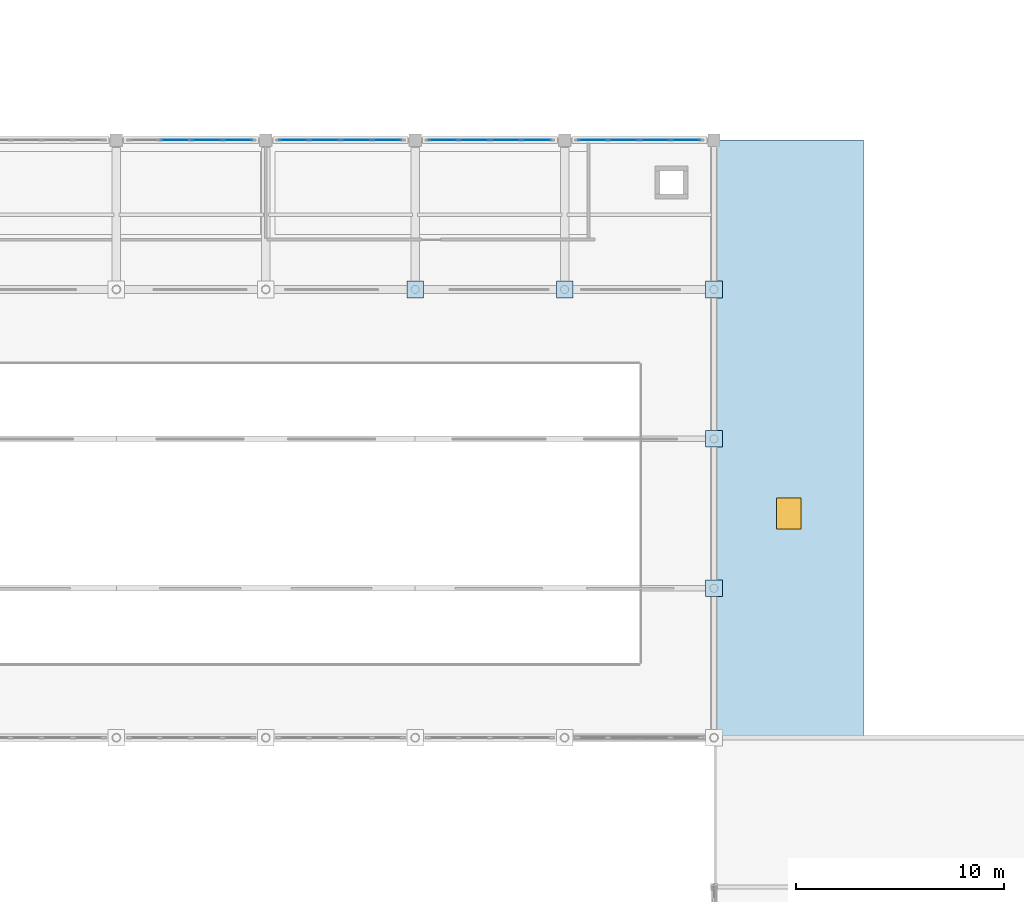
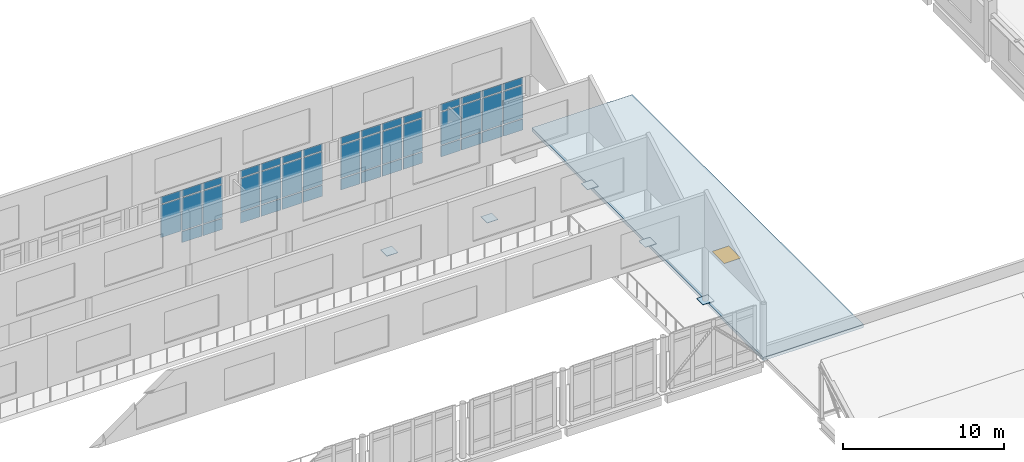
# One storey, part 33 of 62: 49 plates, 1 slab, 1 window, 1 opening, 4 elements without a shape of their own.
"""IFC4 building model written with IfcOpenShell, lengths in metres."""

from ifc_helpers import new_model, si_unit, direction, frame, origin, origin_2d, place, context, subcontext, project, spatial, polyline, rectangle, outline, extrude, material, layer, layer_set, type_object, element, fill, aggregate, save


model = new_model("IFC4")

# Units and contexts
model_context = context("Model", 3, precision=1e-05, world=origin(), true_north=direction((0.0, 1.0)))
body_context = subcontext(model_context, "Body", "Model", "MODEL_VIEW")
ifc_project = project(units=[si_unit("LENGTHUNIT", "METRE"), si_unit("AREAUNIT", "SQUARE_METRE"), si_unit("VOLUMEUNIT", "CUBIC_METRE"), si_unit("PLANEANGLEUNIT", "RADIAN"), si_unit("MASSUNIT", "GRAM", prefix="KILO")], contexts=[model_context])

# Site, building, storey
site_placement = place(None, origin())
site = spatial("IfcSite", under=ifc_project, at=site_placement, CompositionType="ELEMENT")
building_placement = place(site_placement, origin())
building = spatial("IfcBuilding", under=site, at=building_placement, Name="Valkovuoma Quantum and Materials Research Institute", CompositionType="ELEMENT")
storey_placement = place(building_placement, frame((0.0, 0.0, 13.1201171875)))
storey = spatial("IfcBuildingStorey", under=building, at=storey_placement, Name="L03", CompositionType="ELEMENT", Elevation=13.1201171875)

# Curtain wall, plates
ifc_material_1 = material(Name="Thermally broken aluminium and triple low-E glazing", Category="aluminium")
ifc_layer_1 = layer(ifc_material_1, 0.219970703125)
ifc_layer_set_1 = layer_set([ifc_layer_1], Name="Thermally broken aluminium and triple low-E glazing")
curtain_wall_type = type_object("IfcCurtainWallType", Name="CW-CW-02", PredefinedType="NOTDEFINED", material=ifc_layer_set_1)
curtain_wall_1_placement = place(storey_placement, origin())
curtain_wall_1 = element("IfcCurtainWall", 1, at=curtain_wall_1_placement, inside=storey, type_object=curtain_wall_type, Name="L03 curtain wall 215", PredefinedType="NOTDEFINED")
ifc_material_2 = material(Name="Triple low-E argon insulating glass", Category="glass")
ifc_layer_2 = layer(ifc_material_2, 0.0419921875)
ifc_layer_set_2 = layer_set([ifc_layer_2], Name="Triple low-E argon insulating glass")
plate_type_1 = type_object("IfcPlateType", Name="CWPanel-CWP-02", PredefinedType="CURTAIN_PANEL", material=ifc_layer_set_2)
plate_1_placement = place(storey_placement, frame((74.844970703125, 64.800048828125, 0.9873046875), z_axis=(0.0, 0.0, 1.0), x_axis=(1.0, 0.0, 0.0)))
plate_1 = element("IfcPlate", 2, at=plate_1_placement, type_object=plate_type_1, Name="CW-02 panel 2.2", PredefinedType="CURTAIN_PANEL", context=body_context, shape_type="SweptSolid", body=[
    extrude(rectangle(XDim=1.429931640625, YDim=0.0419921875, at=origin_2d()), origin(), (0.0, 0.0, 1.0), 2.485107421875),
])
plate_2_placement = place(storey_placement, frame((74.844970703125, 64.800048828125, 3.54736328125), z_axis=(0.0, 0.0, 1.0), x_axis=(1.0, 0.0, 0.0)))
plate_2 = element("IfcPlate", 3, at=plate_2_placement, type_object=plate_type_1, Name="CW-02 panel 2.3", PredefinedType="CURTAIN_PANEL", context=body_context, shape_type="SweptSolid", body=[
    extrude(rectangle(XDim=1.429931640625, YDim=0.0419921875, at=origin_2d()), origin(), (0.0, 0.0, 1.0), 0.53759765625),
])
plate_3_placement = place(storey_placement, frame((76.35498046875, 64.800048828125, 0.074951171875), z_axis=(0.0, 0.0, 1.0), x_axis=(1.0, 0.0, 0.0)))
plate_3 = element("IfcPlate", 4, at=plate_3_placement, type_object=plate_type_1, Name="CW-02 panel 3.1", PredefinedType="CURTAIN_PANEL", context=body_context, shape_type="SweptSolid", body=[
    extrude(rectangle(XDim=1.429931640625, YDim=0.0419921875, at=origin_2d()), origin(), (0.0, 0.0, 1.0), 0.83740234375),
])
plate_4_placement = place(storey_placement, frame((76.35498046875, 64.800048828125, 0.9873046875), z_axis=(0.0, 0.0, 1.0), x_axis=(1.0, 0.0, 0.0)))
plate_4 = element("IfcPlate", 5, at=plate_4_placement, type_object=plate_type_1, Name="CW-02 panel 3.2", PredefinedType="CURTAIN_PANEL", context=body_context, shape_type="SweptSolid", body=[
    extrude(rectangle(XDim=1.429931640625, YDim=0.0419921875, at=origin_2d()), origin(), (0.0, 0.0, 1.0), 2.485107421875),
])
plate_5_placement = place(storey_placement, frame((76.35498046875, 64.800048828125, 3.54736328125), z_axis=(0.0, 0.0, 1.0), x_axis=(1.0, 0.0, 0.0)))
plate_5 = element("IfcPlate", 6, at=plate_5_placement, type_object=plate_type_1, Name="CW-02 panel 3.3", PredefinedType="CURTAIN_PANEL", context=body_context, shape_type="SweptSolid", body=[
    extrude(rectangle(XDim=1.429931640625, YDim=0.0419921875, at=origin_2d()), origin(), (0.0, 0.0, 1.0), 0.53759765625),
])
plate_6_placement = place(storey_placement, frame((77.844970703125, 64.800048828125, 0.074951171875), z_axis=(0.0, 0.0, 1.0), x_axis=(1.0, 0.0, 0.0)))
plate_6 = element("IfcPlate", 7, at=plate_6_placement, type_object=plate_type_1, Name="CW-02 panel 4.1", PredefinedType="CURTAIN_PANEL", context=body_context, shape_type="SweptSolid", body=[
    extrude(rectangle(XDim=1.389892578125, YDim=0.0419921875, at=origin_2d()), origin(), (0.0, 0.0, 1.0), 0.83740234375),
])
plate_7_placement = place(storey_placement, frame((77.844970703125, 64.800048828125, 0.9873046875), z_axis=(0.0, 0.0, 1.0), x_axis=(1.0, 0.0, 0.0)))
plate_7 = element("IfcPlate", 8, at=plate_7_placement, type_object=plate_type_1, Name="CW-02 panel 4.2", PredefinedType="CURTAIN_PANEL", context=body_context, shape_type="SweptSolid", body=[
    extrude(rectangle(XDim=1.389892578125, YDim=0.0419921875, at=origin_2d()), origin(), (0.0, 0.0, 1.0), 2.485107421875),
])
plate_8_placement = place(storey_placement, frame((77.844970703125, 64.800048828125, 3.54736328125), z_axis=(0.0, 0.0, 1.0), x_axis=(1.0, 0.0, 0.0)))
plate_8 = element("IfcPlate", 9, at=plate_8_placement, type_object=plate_type_1, Name="CW-02 panel 4.3", PredefinedType="CURTAIN_PANEL", context=body_context, shape_type="SweptSolid", body=[
    extrude(rectangle(XDim=1.389892578125, YDim=0.0419921875, at=origin_2d()), origin(), (0.0, 0.0, 1.0), 0.53759765625),
])
aggregate(curtain_wall_1, [plate_1, plate_2, plate_3, plate_4, plate_5, plate_6, plate_7, plate_8])

curtain_wall_2_placement = place(storey_placement, origin())
curtain_wall_2 = element("IfcCurtainWall", 10, at=curtain_wall_2_placement, inside=storey, type_object=curtain_wall_type, Name="L03 curtain wall 216", PredefinedType="NOTDEFINED")
plate_9_placement = place(storey_placement, frame((80.554931640625, 64.800048828125, 0.074951171875), z_axis=(0.0, 0.0, 1.0), x_axis=(1.0, 0.0, 0.0)))
plate_9 = element("IfcPlate", 11, at=plate_9_placement, type_object=plate_type_1, Name="CW-02 panel 1.1", PredefinedType="CURTAIN_PANEL", context=body_context, shape_type="SweptSolid", body=[
    extrude(rectangle(XDim=1.389892578125, YDim=0.0419921875, at=origin_2d()), origin(), (0.0, 0.0, 1.0), 0.83740234375),
])
plate_10_placement = place(storey_placement, frame((80.554931640625, 64.800048828125, 0.9873046875), z_axis=(0.0, 0.0, 1.0), x_axis=(1.0, 0.0, 0.0)))
plate_10 = element("IfcPlate", 12, at=plate_10_placement, type_object=plate_type_1, Name="CW-02 panel 1.2", PredefinedType="CURTAIN_PANEL", context=body_context, shape_type="SweptSolid", body=[
    extrude(rectangle(XDim=1.389892578125, YDim=0.0419921875, at=origin_2d()), origin(), (0.0, 0.0, 1.0), 2.485107421875),
])
plate_11_placement = place(storey_placement, frame((80.554931640625, 64.800048828125, 3.54736328125), z_axis=(0.0, 0.0, 1.0), x_axis=(1.0, 0.0, 0.0)))
plate_11 = element("IfcPlate", 13, at=plate_11_placement, type_object=plate_type_1, Name="CW-02 panel 1.3", PredefinedType="CURTAIN_PANEL", context=body_context, shape_type="SweptSolid", body=[
    extrude(rectangle(XDim=1.389892578125, YDim=0.0419921875, at=origin_2d()), origin(), (0.0, 0.0, 1.0), 0.53759765625),
])
plate_12_placement = place(storey_placement, frame((82.044921875, 64.800048828125, 0.074951171875), z_axis=(0.0, 0.0, 1.0), x_axis=(1.0, 0.0, 0.0)))
plate_12 = element("IfcPlate", 14, at=plate_12_placement, type_object=plate_type_1, Name="CW-02 panel 2.1", PredefinedType="CURTAIN_PANEL", context=body_context, shape_type="SweptSolid", body=[
    extrude(rectangle(XDim=1.429931640625, YDim=0.0419921875, at=origin_2d()), origin(), (0.0, 0.0, 1.0), 0.83740234375),
])
plate_13_placement = place(storey_placement, frame((82.044921875, 64.800048828125, 0.9873046875), z_axis=(0.0, 0.0, 1.0), x_axis=(1.0, 0.0, 0.0)))
plate_13 = element("IfcPlate", 15, at=plate_13_placement, type_object=plate_type_1, Name="CW-02 panel 2.2", PredefinedType="CURTAIN_PANEL", context=body_context, shape_type="SweptSolid", body=[
    extrude(rectangle(XDim=1.429931640625, YDim=0.0419921875, at=origin_2d()), origin(), (0.0, 0.0, 1.0), 2.485107421875),
])
plate_14_placement = place(storey_placement, frame((82.044921875, 64.800048828125, 3.54736328125), z_axis=(0.0, 0.0, 1.0), x_axis=(1.0, 0.0, 0.0)))
plate_14 = element("IfcPlate", 16, at=plate_14_placement, type_object=plate_type_1, Name="CW-02 panel 2.3", PredefinedType="CURTAIN_PANEL", context=body_context, shape_type="SweptSolid", body=[
    extrude(rectangle(XDim=1.429931640625, YDim=0.0419921875, at=origin_2d()), origin(), (0.0, 0.0, 1.0), 0.53759765625),
])
plate_15_placement = place(storey_placement, frame((83.554931640625, 64.800048828125, 0.074951171875), z_axis=(0.0, 0.0, 1.0), x_axis=(1.0, 0.0, 0.0)))
plate_15 = element("IfcPlate", 17, at=plate_15_placement, type_object=plate_type_1, Name="CW-02 panel 3.1", PredefinedType="CURTAIN_PANEL", context=body_context, shape_type="SweptSolid", body=[
    extrude(rectangle(XDim=1.429931640625, YDim=0.0419921875, at=origin_2d()), origin(), (0.0, 0.0, 1.0), 0.83740234375),
])
plate_16_placement = place(storey_placement, frame((83.554931640625, 64.800048828125, 0.9873046875), z_axis=(0.0, 0.0, 1.0), x_axis=(1.0, 0.0, 0.0)))
plate_16 = element("IfcPlate", 18, at=plate_16_placement, type_object=plate_type_1, Name="CW-02 panel 3.2", PredefinedType="CURTAIN_PANEL", context=body_context, shape_type="SweptSolid", body=[
    extrude(rectangle(XDim=1.429931640625, YDim=0.0419921875, at=origin_2d()), origin(), (0.0, 0.0, 1.0), 2.485107421875),
])
plate_17_placement = place(storey_placement, frame((83.554931640625, 64.800048828125, 3.54736328125), z_axis=(0.0, 0.0, 1.0), x_axis=(1.0, 0.0, 0.0)))
plate_17 = element("IfcPlate", 19, at=plate_17_placement, type_object=plate_type_1, Name="CW-02 panel 3.3", PredefinedType="CURTAIN_PANEL", context=body_context, shape_type="SweptSolid", body=[
    extrude(rectangle(XDim=1.429931640625, YDim=0.0419921875, at=origin_2d()), origin(), (0.0, 0.0, 1.0), 0.53759765625),
])
plate_18_placement = place(storey_placement, frame((85.044921875, 64.800048828125, 0.074951171875), z_axis=(0.0, 0.0, 1.0), x_axis=(1.0, 0.0, 0.0)))
plate_18 = element("IfcPlate", 20, at=plate_18_placement, type_object=plate_type_1, Name="CW-02 panel 4.1", PredefinedType="CURTAIN_PANEL", context=body_context, shape_type="SweptSolid", body=[
    extrude(rectangle(XDim=1.389892578125, YDim=0.0419921875, at=origin_2d()), origin(), (0.0, 0.0, 1.0), 0.83740234375),
])
plate_19_placement = place(storey_placement, frame((85.044921875, 64.800048828125, 0.9873046875), z_axis=(0.0, 0.0, 1.0), x_axis=(1.0, 0.0, 0.0)))
plate_19 = element("IfcPlate", 21, at=plate_19_placement, type_object=plate_type_1, Name="CW-02 panel 4.2", PredefinedType="CURTAIN_PANEL", context=body_context, shape_type="SweptSolid", body=[
    extrude(rectangle(XDim=1.389892578125, YDim=0.0419921875, at=origin_2d()), origin(), (0.0, 0.0, 1.0), 2.485107421875),
])
plate_20_placement = place(storey_placement, frame((85.044921875, 64.800048828125, 3.54736328125), z_axis=(0.0, 0.0, 1.0), x_axis=(1.0, 0.0, 0.0)))
plate_20 = element("IfcPlate", 22, at=plate_20_placement, type_object=plate_type_1, Name="CW-02 panel 4.3", PredefinedType="CURTAIN_PANEL", context=body_context, shape_type="SweptSolid", body=[
    extrude(rectangle(XDim=1.389892578125, YDim=0.0419921875, at=origin_2d()), origin(), (0.0, 0.0, 1.0), 0.53759765625),
])
aggregate(curtain_wall_2, [plate_9, plate_10, plate_11, plate_12, plate_13, plate_14, plate_15, plate_16, plate_17, plate_18, plate_19, plate_20])

curtain_wall_3_placement = place(storey_placement, origin())
curtain_wall_3 = element("IfcCurtainWall", 23, at=curtain_wall_3_placement, inside=storey, type_object=curtain_wall_type, Name="L03 curtain wall 217", PredefinedType="NOTDEFINED")
plate_21_placement = place(storey_placement, frame((87.7548828125, 64.800048828125, 0.074951171875), z_axis=(0.0, 0.0, 1.0), x_axis=(1.0, 0.0, 0.0)))
plate_21 = element("IfcPlate", 24, at=plate_21_placement, type_object=plate_type_1, Name="CW-02 panel 1.1", PredefinedType="CURTAIN_PANEL", context=body_context, shape_type="SweptSolid", body=[
    extrude(rectangle(XDim=1.389892578125, YDim=0.0419921875, at=origin_2d()), origin(), (0.0, 0.0, 1.0), 0.83740234375),
])
plate_22_placement = place(storey_placement, frame((87.7548828125, 64.800048828125, 0.9873046875), z_axis=(0.0, 0.0, 1.0), x_axis=(1.0, 0.0, 0.0)))
plate_22 = element("IfcPlate", 25, at=plate_22_placement, type_object=plate_type_1, Name="CW-02 panel 1.2", PredefinedType="CURTAIN_PANEL", context=body_context, shape_type="SweptSolid", body=[
    extrude(rectangle(XDim=1.389892578125, YDim=0.0419921875, at=origin_2d()), origin(), (0.0, 0.0, 1.0), 2.485107421875),
])
plate_23_placement = place(storey_placement, frame((87.7548828125, 64.800048828125, 3.54736328125), z_axis=(0.0, 0.0, 1.0), x_axis=(1.0, 0.0, 0.0)))
plate_23 = element("IfcPlate", 26, at=plate_23_placement, type_object=plate_type_1, Name="CW-02 panel 1.3", PredefinedType="CURTAIN_PANEL", context=body_context, shape_type="SweptSolid", body=[
    extrude(rectangle(XDim=1.389892578125, YDim=0.0419921875, at=origin_2d()), origin(), (0.0, 0.0, 1.0), 0.53759765625),
])
plate_24_placement = place(storey_placement, frame((89.2451171875, 64.800048828125, 0.074951171875), z_axis=(0.0, 0.0, 1.0), x_axis=(1.0, 0.0, 0.0)))
plate_24 = element("IfcPlate", 27, at=plate_24_placement, type_object=plate_type_1, Name="CW-02 panel 2.1", PredefinedType="CURTAIN_PANEL", context=body_context, shape_type="SweptSolid", body=[
    extrude(rectangle(XDim=1.429931640625, YDim=0.0419921875, at=origin_2d()), origin(), (0.0, 0.0, 1.0), 0.83740234375),
])
plate_25_placement = place(storey_placement, frame((89.2451171875, 64.800048828125, 0.9873046875), z_axis=(0.0, 0.0, 1.0), x_axis=(1.0, 0.0, 0.0)))
plate_25 = element("IfcPlate", 28, at=plate_25_placement, type_object=plate_type_1, Name="CW-02 panel 2.2", PredefinedType="CURTAIN_PANEL", context=body_context, shape_type="SweptSolid", body=[
    extrude(rectangle(XDim=1.429931640625, YDim=0.0419921875, at=origin_2d()), origin(), (0.0, 0.0, 1.0), 2.485107421875),
])
plate_26_placement = place(storey_placement, frame((89.2451171875, 64.800048828125, 3.54736328125), z_axis=(0.0, 0.0, 1.0), x_axis=(1.0, 0.0, 0.0)))
plate_26 = element("IfcPlate", 29, at=plate_26_placement, type_object=plate_type_1, Name="CW-02 panel 2.3", PredefinedType="CURTAIN_PANEL", context=body_context, shape_type="SweptSolid", body=[
    extrude(rectangle(XDim=1.429931640625, YDim=0.0419921875, at=origin_2d()), origin(), (0.0, 0.0, 1.0), 0.53759765625),
])
plate_27_placement = place(storey_placement, frame((90.7548828125, 64.800048828125, 0.074951171875), z_axis=(0.0, 0.0, 1.0), x_axis=(1.0, 0.0, 0.0)))
plate_27 = element("IfcPlate", 30, at=plate_27_placement, type_object=plate_type_1, Name="CW-02 panel 3.1", PredefinedType="CURTAIN_PANEL", context=body_context, shape_type="SweptSolid", body=[
    extrude(rectangle(XDim=1.429931640625, YDim=0.0419921875, at=origin_2d()), origin(), (0.0, 0.0, 1.0), 0.83740234375),
])
plate_28_placement = place(storey_placement, frame((90.7548828125, 64.800048828125, 0.9873046875), z_axis=(0.0, 0.0, 1.0), x_axis=(1.0, 0.0, 0.0)))
plate_28 = element("IfcPlate", 31, at=plate_28_placement, type_object=plate_type_1, Name="CW-02 panel 3.2", PredefinedType="CURTAIN_PANEL", context=body_context, shape_type="SweptSolid", body=[
    extrude(rectangle(XDim=1.429931640625, YDim=0.0419921875, at=origin_2d()), origin(), (0.0, 0.0, 1.0), 2.485107421875),
])
plate_29_placement = place(storey_placement, frame((90.7548828125, 64.800048828125, 3.54736328125), z_axis=(0.0, 0.0, 1.0), x_axis=(1.0, 0.0, 0.0)))
plate_29 = element("IfcPlate", 32, at=plate_29_placement, type_object=plate_type_1, Name="CW-02 panel 3.3", PredefinedType="CURTAIN_PANEL", context=body_context, shape_type="SweptSolid", body=[
    extrude(rectangle(XDim=1.429931640625, YDim=0.0419921875, at=origin_2d()), origin(), (0.0, 0.0, 1.0), 0.53759765625),
])
plate_30_placement = place(storey_placement, frame((92.2451171875, 64.800048828125, 0.074951171875), z_axis=(0.0, 0.0, 1.0), x_axis=(1.0, 0.0, 0.0)))
plate_30 = element("IfcPlate", 33, at=plate_30_placement, type_object=plate_type_1, Name="CW-02 panel 4.1", PredefinedType="CURTAIN_PANEL", context=body_context, shape_type="SweptSolid", body=[
    extrude(rectangle(XDim=1.389892578125, YDim=0.0419921875, at=origin_2d()), origin(), (0.0, 0.0, 1.0), 0.83740234375),
])
plate_31_placement = place(storey_placement, frame((92.2451171875, 64.800048828125, 0.9873046875), z_axis=(0.0, 0.0, 1.0), x_axis=(1.0, 0.0, 0.0)))
plate_31 = element("IfcPlate", 34, at=plate_31_placement, type_object=plate_type_1, Name="CW-02 panel 4.2", PredefinedType="CURTAIN_PANEL", context=body_context, shape_type="SweptSolid", body=[
    extrude(rectangle(XDim=1.389892578125, YDim=0.0419921875, at=origin_2d()), origin(), (0.0, 0.0, 1.0), 2.485107421875),
])
plate_32_placement = place(storey_placement, frame((92.2451171875, 64.800048828125, 3.54736328125), z_axis=(0.0, 0.0, 1.0), x_axis=(1.0, 0.0, 0.0)))
plate_32 = element("IfcPlate", 35, at=plate_32_placement, type_object=plate_type_1, Name="CW-02 panel 4.3", PredefinedType="CURTAIN_PANEL", context=body_context, shape_type="SweptSolid", body=[
    extrude(rectangle(XDim=1.389892578125, YDim=0.0419921875, at=origin_2d()), origin(), (0.0, 0.0, 1.0), 0.53759765625),
])
aggregate(curtain_wall_3, [plate_21, plate_22, plate_23, plate_24, plate_25, plate_26, plate_27, plate_28, plate_29, plate_30, plate_31, plate_32])

curtain_wall_4_placement = place(storey_placement, origin())
curtain_wall_4 = element("IfcCurtainWall", 36, at=curtain_wall_4_placement, inside=storey, type_object=curtain_wall_type, Name="L03 curtain wall 218", PredefinedType="NOTDEFINED")
plate_33_placement = place(storey_placement, frame((94.955078125, 64.800048828125, 0.074951171875), z_axis=(0.0, 0.0, 1.0), x_axis=(1.0, 0.0, 0.0)))
plate_33 = element("IfcPlate", 37, at=plate_33_placement, type_object=plate_type_1, Name="CW-02 panel 1.1", PredefinedType="CURTAIN_PANEL", context=body_context, shape_type="SweptSolid", body=[
    extrude(rectangle(XDim=1.389892578125, YDim=0.0419921875, at=origin_2d()), origin(), (0.0, 0.0, 1.0), 0.83740234375),
])
plate_34_placement = place(storey_placement, frame((94.955078125, 64.800048828125, 0.9873046875), z_axis=(0.0, 0.0, 1.0), x_axis=(1.0, 0.0, 0.0)))
plate_34 = element("IfcPlate", 38, at=plate_34_placement, type_object=plate_type_1, Name="CW-02 panel 1.2", PredefinedType="CURTAIN_PANEL", context=body_context, shape_type="SweptSolid", body=[
    extrude(rectangle(XDim=1.389892578125, YDim=0.0419921875, at=origin_2d()), origin(), (0.0, 0.0, 1.0), 2.485107421875),
])
plate_35_placement = place(storey_placement, frame((94.955078125, 64.800048828125, 3.54736328125), z_axis=(0.0, 0.0, 1.0), x_axis=(1.0, 0.0, 0.0)))
plate_35 = element("IfcPlate", 39, at=plate_35_placement, type_object=plate_type_1, Name="CW-02 panel 1.3", PredefinedType="CURTAIN_PANEL", context=body_context, shape_type="SweptSolid", body=[
    extrude(rectangle(XDim=1.389892578125, YDim=0.0419921875, at=origin_2d()), origin(), (0.0, 0.0, 1.0), 0.53759765625),
])
plate_36_placement = place(storey_placement, frame((96.445068359375, 64.800048828125, 0.074951171875), z_axis=(0.0, 0.0, 1.0), x_axis=(1.0, 0.0, 0.0)))
plate_36 = element("IfcPlate", 40, at=plate_36_placement, type_object=plate_type_1, Name="CW-02 panel 2.1", PredefinedType="CURTAIN_PANEL", context=body_context, shape_type="SweptSolid", body=[
    extrude(rectangle(XDim=1.429931640625, YDim=0.0419921875, at=origin_2d()), origin(), (0.0, 0.0, 1.0), 0.83740234375),
])
plate_37_placement = place(storey_placement, frame((96.445068359375, 64.800048828125, 0.9873046875), z_axis=(0.0, 0.0, 1.0), x_axis=(1.0, 0.0, 0.0)))
plate_37 = element("IfcPlate", 41, at=plate_37_placement, type_object=plate_type_1, Name="CW-02 panel 2.2", PredefinedType="CURTAIN_PANEL", context=body_context, shape_type="SweptSolid", body=[
    extrude(rectangle(XDim=1.429931640625, YDim=0.0419921875, at=origin_2d()), origin(), (0.0, 0.0, 1.0), 2.485107421875),
])
plate_38_placement = place(storey_placement, frame((96.445068359375, 64.800048828125, 3.54736328125), z_axis=(0.0, 0.0, 1.0), x_axis=(1.0, 0.0, 0.0)))
plate_38 = element("IfcPlate", 42, at=plate_38_placement, type_object=plate_type_1, Name="CW-02 panel 2.3", PredefinedType="CURTAIN_PANEL", context=body_context, shape_type="SweptSolid", body=[
    extrude(rectangle(XDim=1.429931640625, YDim=0.0419921875, at=origin_2d()), origin(), (0.0, 0.0, 1.0), 0.53759765625),
])
plate_39_placement = place(storey_placement, frame((97.955078125, 64.800048828125, 0.074951171875), z_axis=(0.0, 0.0, 1.0), x_axis=(1.0, 0.0, 0.0)))
plate_39 = element("IfcPlate", 43, at=plate_39_placement, type_object=plate_type_1, Name="CW-02 panel 3.1", PredefinedType="CURTAIN_PANEL", context=body_context, shape_type="SweptSolid", body=[
    extrude(rectangle(XDim=1.429931640625, YDim=0.0419921875, at=origin_2d()), origin(), (0.0, 0.0, 1.0), 0.83740234375),
])
plate_40_placement = place(storey_placement, frame((97.955078125, 64.800048828125, 0.9873046875), z_axis=(0.0, 0.0, 1.0), x_axis=(1.0, 0.0, 0.0)))
plate_40 = element("IfcPlate", 44, at=plate_40_placement, type_object=plate_type_1, Name="CW-02 panel 3.2", PredefinedType="CURTAIN_PANEL", context=body_context, shape_type="SweptSolid", body=[
    extrude(rectangle(XDim=1.429931640625, YDim=0.0419921875, at=origin_2d()), origin(), (0.0, 0.0, 1.0), 2.485107421875),
])
plate_41_placement = place(storey_placement, frame((97.955078125, 64.800048828125, 3.54736328125), z_axis=(0.0, 0.0, 1.0), x_axis=(1.0, 0.0, 0.0)))
plate_41 = element("IfcPlate", 45, at=plate_41_placement, type_object=plate_type_1, Name="CW-02 panel 3.3", PredefinedType="CURTAIN_PANEL", context=body_context, shape_type="SweptSolid", body=[
    extrude(rectangle(XDim=1.429931640625, YDim=0.0419921875, at=origin_2d()), origin(), (0.0, 0.0, 1.0), 0.53759765625),
])
plate_42_placement = place(storey_placement, frame((99.445068359375, 64.800048828125, 0.074951171875), z_axis=(0.0, 0.0, 1.0), x_axis=(1.0, 0.0, 0.0)))
plate_42 = element("IfcPlate", 46, at=plate_42_placement, type_object=plate_type_1, Name="CW-02 panel 4.1", PredefinedType="CURTAIN_PANEL", context=body_context, shape_type="SweptSolid", body=[
    extrude(rectangle(XDim=1.389892578125, YDim=0.0419921875, at=origin_2d()), origin(), (0.0, 0.0, 1.0), 0.83740234375),
])
plate_43_placement = place(storey_placement, frame((99.445068359375, 64.800048828125, 0.9873046875), z_axis=(0.0, 0.0, 1.0), x_axis=(1.0, 0.0, 0.0)))
plate_43 = element("IfcPlate", 47, at=plate_43_placement, type_object=plate_type_1, Name="CW-02 panel 4.2", PredefinedType="CURTAIN_PANEL", context=body_context, shape_type="SweptSolid", body=[
    extrude(rectangle(XDim=1.389892578125, YDim=0.0419921875, at=origin_2d()), origin(), (0.0, 0.0, 1.0), 2.485107421875),
])
plate_44_placement = place(storey_placement, frame((99.445068359375, 64.800048828125, 3.54736328125), z_axis=(0.0, 0.0, 1.0), x_axis=(1.0, 0.0, 0.0)))
plate_44 = element("IfcPlate", 48, at=plate_44_placement, type_object=plate_type_1, Name="CW-02 panel 4.3", PredefinedType="CURTAIN_PANEL", context=body_context, shape_type="SweptSolid", body=[
    extrude(rectangle(XDim=1.389892578125, YDim=0.0419921875, at=origin_2d()), origin(), (0.0, 0.0, 1.0), 0.53759765625),
])
aggregate(curtain_wall_4, [plate_33, plate_34, plate_35, plate_36, plate_37, plate_38, plate_39, plate_40, plate_41, plate_42, plate_43, plate_44])

# Plates
ifc_material_3 = material(Name="Steel S355J2", Category="steel")
plate_type_2 = type_object("IfcPlateType", Name="Plate-PL-BAS2", PredefinedType="USERDEFINED", material=ifc_material_3)
for number, where, z_axis, x_axis, name in (
    (49, (86.39990234375, 57.60009765625, 0.0), (0.0, 0.0, 1.0), (1.0, 0.0, 0.0), "L03 base plate 13J"),
    (50, (93.60009765625, 57.60009765625, 0.0), (0.0, 0.0, 1.0), (1.0, 0.0, 0.0), "L03 base plate 14J"),
    (51, (100.800048828125, 43.199951171875, 0.0), (0.0, 0.0, 1.0), (1.0, 0.0, 0.0), "L03 base plate 15G"),
    (52, (100.800048828125, 50.39990234375, 0.0), (0.0, 0.0, 1.0), (1.0, 0.0, 0.0), "L03 base plate 15H"),
    (53, (100.800048828125, 57.60009765625, 0.0), (0.0, 0.0, 1.0), (1.0, 0.0, 0.0), "L03 base plate 15J"),
):
    element("IfcPlate", number, at=place(storey_placement, frame(where, z_axis=z_axis, x_axis=x_axis)), inside=storey, type_object=plate_type_2, Name=name, ObjectType="BASE_PLATE", PredefinedType="USERDEFINED", context=body_context, shape_type="SweptSolid", body=[
        extrude(rectangle(XDim=0.800048828125, YDim=0.800048828125, at=origin_2d()), origin(), (0.0, 0.0, 1.0), 0.030029296875),
    ])

# Slab, opening, window
ifc_material_4 = material(Name="Concrete C40/50", Category="concrete")
ifc_layer_3 = layer(ifc_material_4, 0.25)
ifc_layer_set_3 = layer_set([ifc_layer_3], Name="Concrete C40/50")
slab_type = type_object("IfcSlabType", Name="Slab-SL-RF250", PredefinedType="ROOF", material=ifc_layer_set_3)
slab_placement = place(storey_placement, frame((0.0, 0.0, -0.25)))
slab = element("IfcSlab", 54, at=slab_placement, inside=storey, type_object=slab_type, Name="L03 roof slab RF_VOL2_EAST_STEP", PredefinedType="ROOF", context=body_context, shape_type="SweptSolid", body=[
    extrude(outline(polyline([(100.800048828125, 36.0), (108.0, 36.0), (108.0, 64.800048828125), (100.800048828125, 64.800048828125), (100.800048828125, 36.0)]), holes=[polyline([(103.800048828125, 46.050048828125), (105.0, 46.050048828125), (105.0, 47.550048828125), (103.800048828125, 47.550048828125), (103.800048828125, 46.050048828125)])]), origin(), (0.0, 0.0, 1.0), 0.25),
])
opening_placement = place(slab_placement, frame((104.39990234375, 46.800048828125, -0.010009765625)))
opening = element("IfcOpeningElement", 55, at=opening_placement, cuts=slab, Name="Opening SKY-HT1", PredefinedType="OPENING", context=body_context, shape_type="SweptSolid", body=[
    extrude(rectangle(XDim=1.199951171875, YDim=1.5, at=origin_2d()), origin(), (0.0, 0.0, 1.0), 0.27001953125),
])
ifc_material_5 = material(Name="Triple low-E laminated safety glass skylight", Category="glass")
window_type = type_object("IfcWindowType", Name="Win-SKY-HT1", PartitioningType="SINGLE_PANEL", PredefinedType="SKYLIGHT", material=ifc_material_5)
window_placement = place(opening_placement, frame((0.0, 0.0, 0.2099609375)))
window = element("IfcWindow", 56, at=window_placement, inside=storey, type_object=window_type, Name="L03 roof smoke-vent skylight SKY-HT1", OverallHeight=1.5, OverallWidth=1.199951171875, PartitioningType="SINGLE_PANEL", PredefinedType="SKYLIGHT", context=body_context, shape_type="SweptSolid", body=[
    extrude(rectangle(XDim=1.199951171875, YDim=1.5, at=origin_2d()), origin(), (0.0, 0.0, 1.0), 0.050048828125),
])
fill(opening, window)

save(model, "model.ifc")
